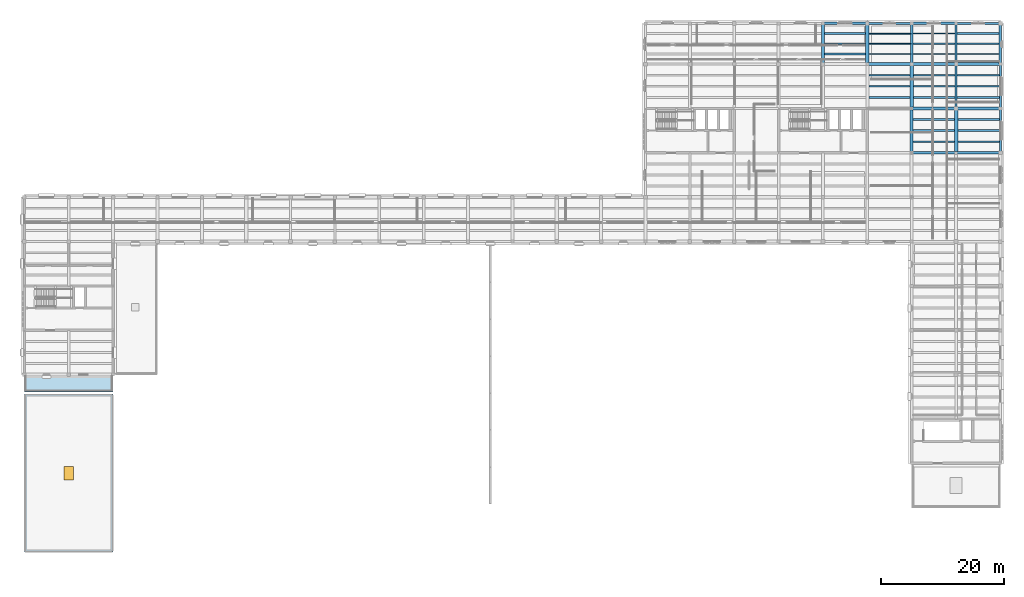
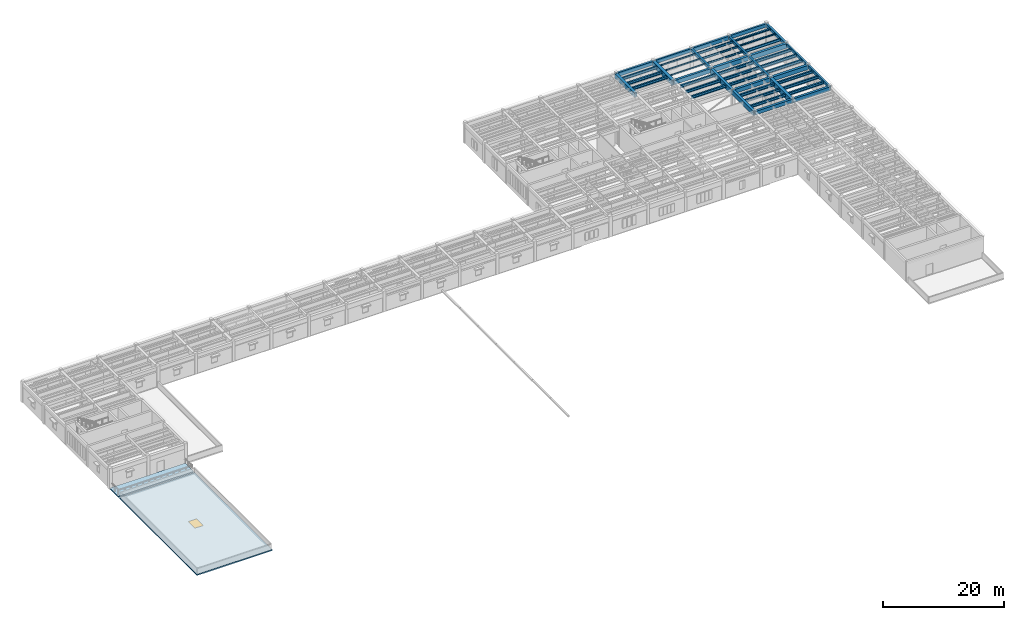
# One storey, part 5 of 27: 49 beams, 2 slabs, 1 window, 1 opening.
"""IFC4 building model written with IfcOpenShell, lengths in metres."""

import ifcopenshell
import ifcopenshell.guid

model = None  # the IFC model being written
_history = None  # IfcOwnerHistory: only IFC2X3 demands one
_inside = {}  # id of a spatial element -> (the spatial element, [elements in it])
_under = {}  # id of a project, library or spatial element -> (it, [spatial elements below it])
_declared = {}  # id of a project -> (the project, [libraries it declares])
_typed = {}  # id of a type object -> (the type object, [elements of that type])
_made_of = {}  # id of a material, layer set ... -> (it, [elements and type objects made of it])


def new_model(schema):
    """Start an empty IFC model of exactly this schema.

    Asked for "IFC4X3", IfcOpenShell would pick the latest addendum, in which some entities
    have other attributes; the version numbers below select the first issue.
    IFC2X3 requires an IfcOwnerHistory on every rooted entity: one is made here for all.
    """
    global model, _history
    if schema == "IFC4X3":
        model = ifcopenshell.file(schema_version=(4, 3, 0, 0))
    else:
        model = ifcopenshell.file(schema=schema)
    _inside.clear()
    _under.clear()
    _declared.clear()
    _typed.clear()
    _made_of.clear()
    _history = None
    if model.schema == "IFC2X3":
        org = make("IfcOrganization", Name="unknown")
        user = make(
            "IfcPersonAndOrganization",
            ThePerson=make("IfcPerson", FamilyName="unknown"),
            TheOrganization=org,
        )
        app = make(
            "IfcApplication",
            ApplicationDeveloper=org,
            Version="unknown",
            ApplicationFullName="unknown",
            ApplicationIdentifier="unknown",
        )
        _history = make(
            "IfcOwnerHistory",
            OwningUser=user,
            OwningApplication=app,
            ChangeAction="ADDED",
            CreationDate=0,
        )
    return model


def make(cls, **values):
    """One entity of the class cls with the attributes given. An attribute that is None is left unset."""
    return model.create_entity(
        cls, **{name: value for name, value in values.items() if value is not None}
    )


def rooted(cls, **values):
    """An entity with a GlobalId (a new one), such as an element, a storey or a relation."""
    return make(cls, GlobalId=ifcopenshell.guid.new(), OwnerHistory=_history, **values)


def si_unit(unit_type, name, prefix=None):
    """IfcSIUnit, for example si_unit("LENGTHUNIT", "METRE", prefix="MILLI")."""
    return make("IfcSIUnit", UnitType=unit_type, Prefix=prefix, Name=name)


def assignment(units):
    """IfcUnitAssignment: the units of a project."""
    return None if units is None else make("IfcUnitAssignment", Units=units)


def point(xyz):
    """IfcCartesianPoint."""
    return None if xyz is None else make("IfcCartesianPoint", Coordinates=xyz)


def direction(xyz):
    """IfcDirection."""
    return None if xyz is None else make("IfcDirection", DirectionRatios=xyz)


def frame(location, z_axis=None, x_axis=None):
    """IfcAxis2Placement3D, a coordinate frame: its origin and axes. An axis left out is left unset."""
    return make(
        "IfcAxis2Placement3D",
        Location=point(location),
        Axis=direction(z_axis),
        RefDirection=direction(x_axis),
    )


def frame_2d(location, x_axis=None):
    """IfcAxis2Placement2D, a coordinate frame in the plane: its origin and x axis."""
    return make(
        "IfcAxis2Placement2D", Location=point(location), RefDirection=direction(x_axis)
    )


def origin():
    """The frame at (0, 0, 0) with its axes left unset."""
    return frame((0.0, 0.0, 0.0))


def origin_2d():
    """The frame at (0, 0) in the plane with its x axis left unset."""
    return frame_2d((0.0, 0.0))


def place(relative_to, where):
    """IfcLocalPlacement: puts the frame where relative to a parent placement (None: the world)."""
    return make(
        "IfcLocalPlacement", PlacementRelTo=relative_to, RelativePlacement=where
    )


def context(
    kind, dimensions, precision=None, world=None, true_north=None, identifier=None
):
    """IfcGeometricRepresentationContext, for example the 3D "Model" context."""
    return make(
        "IfcGeometricRepresentationContext",
        ContextIdentifier=identifier,
        ContextType=kind,
        CoordinateSpaceDimension=dimensions,
        Precision=precision,
        WorldCoordinateSystem=world,
        TrueNorth=true_north,
    )


def subcontext(parent, identifier, kind, view, scale=None):
    """IfcGeometricRepresentationSubContext, for example "Body" below "Model"."""
    return make(
        "IfcGeometricRepresentationSubContext",
        ContextIdentifier=identifier,
        ContextType=kind,
        ParentContext=parent,
        TargetScale=scale,
        TargetView=view,
    )


def project(units=None, contexts=None):
    """IfcProject with its units and contexts."""
    return rooted(
        "IfcProject",
        Name="project",
        RepresentationContexts=contexts,
        UnitsInContext=assignment(units),
    )


def spatial(cls, under=None, at=None, **own):
    """A site, building, storey or space (cls), placed at a placement, below another one or the project."""
    s = rooted(cls, ObjectPlacement=at, **own)
    if under is not None:
        _under.setdefault(under.id(), (under, []))[1].append(s)
    return s


def polyline(points):
    """IfcPolyline through the points."""
    return make("IfcPolyline", Points=[point(p) for p in points])


def profile(cls, at=None, kind="AREA", **sizes):
    """A parametric profile (cls). Its sizes go by their IFC names, for example OverallWidth=200.0."""
    return make(cls, ProfileType=kind, Position=at, **sizes)


def rectangle(**sizes):
    """IfcRectangleProfileDef."""
    return profile("IfcRectangleProfileDef", **sizes)


def i_section(**sizes):
    """IfcIShapeProfileDef."""
    return profile("IfcIShapeProfileDef", **sizes)


def outline(outer, holes=None, kind="AREA"):
    """IfcArbitraryClosedProfileDef: a profile drawn as a closed curve; with holes, ...WithVoids."""
    if holes is None:
        return make("IfcArbitraryClosedProfileDef", ProfileType=kind, OuterCurve=outer)
    return make(
        "IfcArbitraryProfileDefWithVoids",
        ProfileType=kind,
        OuterCurve=outer,
        InnerCurves=holes,
    )


def extrude(swept, where, along, depth):
    """IfcExtrudedAreaSolid: the profile swept, set in the frame where, extruded along a direction by depth."""
    return make(
        "IfcExtrudedAreaSolid",
        SweptArea=swept,
        Position=where,
        ExtrudedDirection=direction(along),
        Depth=depth,
    )


def shape(context_of_items, identifier, shape_type, items):
    """IfcShapeRepresentation: the items that make up one representation, for example the "Body"."""
    return make(
        "IfcShapeRepresentation",
        ContextOfItems=context_of_items,
        RepresentationIdentifier=identifier,
        RepresentationType=shape_type,
        Items=items,
    )


def material(Name=None, Category=None):
    """IfcMaterial."""
    return make("IfcMaterial", Name=Name, Category=Category)


def layer(
    of_material, thickness, ventilated=None, Name=None, Category=None, Priority=None
):
    """IfcMaterialLayer: one layer of a wall or slab, of a material (None: an air gap)."""
    return make(
        "IfcMaterialLayer",
        Material=of_material,
        LayerThickness=thickness,
        IsVentilated=ventilated,
        Name=Name,
        Category=Category,
        Priority=Priority,
    )


def layer_set(layers, Name=None):
    """IfcMaterialLayerSet."""
    return make("IfcMaterialLayerSet", MaterialLayers=layers, LayerSetName=Name)


def material_profile(
    of_material, cross_section, Name=None, Category=None, Priority=None
):
    """IfcMaterialProfile: a cross section and its material."""
    return make(
        "IfcMaterialProfile",
        Name=Name,
        Material=of_material,
        Profile=cross_section,
        Priority=Priority,
        Category=Category,
    )


def profile_set(profiles, Name=None, composite=None):
    """IfcMaterialProfileSet."""
    return make(
        "IfcMaterialProfileSet",
        Name=Name,
        MaterialProfiles=profiles,
        CompositeProfile=composite,
    )


def made_of(thing, what):
    """Note that an element or type object is made of a material, layer set ...; save() writes the relation."""
    if what is not None:
        _made_of.setdefault(what.id(), (what, []))[1].append(thing)
    return thing


def type_object(cls, material=None, **own):
    """A type object (cls), such as IfcWallType, which elements share."""
    return made_of(rooted(cls, **own), material)


def element(
    cls,
    number,
    at=None,
    inside=None,
    cuts=None,
    type_object=None,
    material=None,
    context=None,
    identifier="Body",
    shape_type=None,
    held_by="IfcProductDefinitionShape",
    body=None,
    shapes=None,
    **own,
):
    """One element of the class cls, such as IfcWall. Its Tag is "e" and its number.

    at: its placement. inside: the storey or other place that contains it. cuts: it is an
    opening in that element (IfcRelVoidsElement). A single representation is given by context,
    identifier, shape_type and body (its items); several are given by shapes. held_by: the class
    of the entity that holds the representations. save() writes the other relations.
    """
    e = rooted(cls, Tag="e%d" % number, ObjectPlacement=at, **own)
    if body is not None:
        shapes = [shape(context, identifier, shape_type, body)]
    if shapes is not None:
        e.Representation = make(held_by, Representations=shapes)
    if inside is not None:
        _inside.setdefault(inside.id(), (inside, []))[1].append(e)
    if cuts is not None:
        rooted(
            "IfcRelVoidsElement", RelatingBuildingElement=cuts, RelatedOpeningElement=e
        )
    if type_object is not None:
        _typed.setdefault(type_object.id(), (type_object, []))[1].append(e)
    return made_of(e, material)


def fill(opening, filler):
    """IfcRelFillsElement: the door or window that sits in an opening."""
    return rooted(
        "IfcRelFillsElement",
        RelatingOpeningElement=opening,
        RelatedBuildingElement=filler,
    )


def aggregate(whole, parts):
    """IfcRelAggregates: a whole, such as a stair, and the parts it consists of."""
    return rooted("IfcRelAggregates", RelatingObject=whole, RelatedObjects=parts)


def save(model, path):
    """Write the relations noted so far, then the file.

    IfcRelAggregates (storeys below a building ...), IfcRelContainedInSpatialStructure (elements
    in a storey), IfcRelDefinesByType, IfcRelAssociatesMaterial and IfcRelDeclares: one each for
    every whole, place, type object, material and project.
    """
    for whole, parts in _under.values():
        aggregate(whole, parts)
    for where, things in _inside.values():
        rooted(
            "IfcRelContainedInSpatialStructure",
            RelatedElements=things,
            RelatingStructure=where,
        )
    for kind, things in _typed.values():
        rooted("IfcRelDefinesByType", RelatedObjects=things, RelatingType=kind)
    for what, things in _made_of.values():
        rooted("IfcRelAssociatesMaterial", RelatedObjects=things, RelatingMaterial=what)
    for by, libraries in _declared.values():
        rooted("IfcRelDeclares", RelatingContext=by, RelatedDefinitions=libraries)
    model.write(path)


model = new_model("IFC4")

# Units and contexts
model_context = context("Model", 3, precision=1e-05, world=origin(), true_north=direction((0.0, 1.0)))
body_context = subcontext(model_context, "Body", "Model", "MODEL_VIEW")
ifc_project = project(units=[si_unit("LENGTHUNIT", "METRE"), si_unit("AREAUNIT", "SQUARE_METRE"), si_unit("VOLUMEUNIT", "CUBIC_METRE"), si_unit("PLANEANGLEUNIT", "RADIAN"), si_unit("MASSUNIT", "GRAM", prefix="KILO")], contexts=[model_context])

# Site, building, storey
site_placement = place(None, origin())
site = spatial("IfcSite", under=ifc_project, at=site_placement, CompositionType="ELEMENT")
building_placement = place(site_placement, origin())
building = spatial("IfcBuilding", under=site, at=building_placement, Name="Mithqara Police Headquarters", CompositionType="ELEMENT")
storey_placement = place(building_placement, frame((0.0, 0.0, 18.0)))
storey = spatial("IfcBuildingStorey", under=building, at=storey_placement, Name="L04", CompositionType="ELEMENT", Elevation=18.0)

# Beams
ifc_material_1 = material(Name="Steel S355JR", Category="steel")
ifc_material_profile_1 = material_profile(ifc_material_1, i_section(OverallWidth=0.300048828125, OverallDepth=0.550048828125, WebThickness=0.014892578125, FlangeThickness=0.029052734375, FilletRadius=0.027099609375, at=origin_2d()), Name="HEB 550")
ifc_profile_set_1 = profile_set([ifc_material_profile_1], Name="Steel S355JR")
beam_type_1 = type_object("IfcBeamType", Name="BEAM HEB550", PredefinedType="BEAM", material=ifc_profile_set_1)
for number, where, z_axis, x_axis, name in (
    (1, (137.64990234375, 109.050048828125, 3.6650390625), (1.0, 0.0, 0.0), (0.0, 1.0, 0.0), "L04 Composite Steel Joist 20-21/R.1"),
    (2, (137.64990234375, 110.699951171875, 3.6650390625), (1.0, 0.0, 0.0), (0.0, 1.0, 0.0), "L04 Composite Steel Joist 20-21/R.2"),
    (3, (137.64990234375, 112.35009765625, 3.6650390625), (1.0, 0.0, 0.0), (0.0, 1.0, 0.0), "L04 Composite Steel Joist 20-21/R.3"),
):
    element("IfcBeam", number, at=place(storey_placement, frame(where, z_axis=z_axis, x_axis=x_axis)), inside=storey, type_object=beam_type_1, Name=name, PredefinedType="BEAM", context=body_context, shape_type="SweptSolid", body=[
        extrude(i_section(OverallWidth=0.300048828125, OverallDepth=0.550048828125, WebThickness=0.014892578125, FlangeThickness=0.029052734375, FilletRadius=0.027099609375, at=origin_2d()), origin(), (0.0, 0.0, 1.0), 6.675048828125),
    ])
for number, where, z_axis, x_axis, name in (
    (4, (144.85009765625, 102.0, 3.6650390625), (1.0, 0.0, 0.0), (0.0, 1.0, 0.0), "L04 Composite Steel Joist 21-22/Q.1"),
    (5, (144.85009765625, 103.800048828125, 3.6650390625), (1.0, 0.0, 0.0), (0.0, 1.0, 0.0), "L04 Composite Steel Joist 21-22/Q.2"),
    (6, (144.85009765625, 105.60009765625, 3.6650390625), (1.0, 0.0, 0.0), (0.0, 1.0, 0.0), "L04 Composite Steel Joist 21-22/Q.3"),
):
    element("IfcBeam", number, at=place(storey_placement, frame(where, z_axis=z_axis, x_axis=x_axis)), inside=storey, type_object=beam_type_1, Name=name, PredefinedType="BEAM", context=body_context, shape_type="SweptSolid", body=[
        extrude(i_section(OverallWidth=0.300048828125, OverallDepth=0.550048828125, WebThickness=0.014892578125, FlangeThickness=0.029052734375, FilletRadius=0.027099609375, at=origin_2d()), origin(), (0.0, 0.0, 1.0), 6.6748046875),
    ])
for number, where, z_axis, x_axis, name in (
    (7, (152.050048828125, 94.800048828125, 3.6650390625), (1.0, 0.0, 0.0), (0.0, 1.0, 0.0), "L04 Composite Steel Joist 22-23/P.1"),
    (8, (152.050048828125, 96.60009765625, 3.6650390625), (1.0, 0.0, 0.0), (0.0, 1.0, 0.0), "L04 Composite Steel Joist 22-23/P.2"),
    (9, (152.050048828125, 98.39990234375, 3.6650390625), (1.0, 0.0, 0.0), (0.0, 1.0, 0.0), "L04 Composite Steel Joist 22-23/P.3"),
):
    element("IfcBeam", number, at=place(storey_placement, frame(where, z_axis=z_axis, x_axis=x_axis)), inside=storey, type_object=beam_type_1, Name=name, PredefinedType="BEAM", context=body_context, shape_type="SweptSolid", body=[
        extrude(i_section(OverallWidth=0.300048828125, OverallDepth=0.550048828125, WebThickness=0.014892578125, FlangeThickness=0.029052734375, FilletRadius=0.027099609375, at=origin_2d()), origin(), (0.0, 0.0, 1.0), 6.675048828125),
    ])
for number, where, z_axis, x_axis, name in (
    (10, (152.074951171875, 102.0, 3.6650390625), (1.0, 0.0, 0.0), (0.0, 1.0, 0.0), "L04 Composite Steel Joist 22-23/Q.1"),
    (11, (152.074951171875, 103.800048828125, 3.6650390625), (1.0, 0.0, 0.0), (0.0, 1.0, 0.0), "L04 Composite Steel Joist 22-23/Q.2"),
    (12, (152.074951171875, 105.60009765625, 3.6650390625), (1.0, 0.0, 0.0), (0.0, 1.0, 0.0), "L04 Composite Steel Joist 22-23/Q.3"),
    (13, (159.27490234375, 94.800048828125, 3.6650390625), (1.0, 0.0, 0.0), (0.0, 1.0, 0.0), "L04 Composite Steel Joist 23-24/P.1"),
    (14, (159.27490234375, 96.60009765625, 3.6650390625), (1.0, 0.0, 0.0), (0.0, 1.0, 0.0), "L04 Composite Steel Joist 23-24/P.2"),
    (15, (159.27490234375, 98.39990234375, 3.6650390625), (1.0, 0.0, 0.0), (0.0, 1.0, 0.0), "L04 Composite Steel Joist 23-24/P.3"),
):
    element("IfcBeam", number, at=place(storey_placement, frame(where, z_axis=z_axis, x_axis=x_axis)), inside=storey, type_object=beam_type_1, Name=name, PredefinedType="BEAM", context=body_context, shape_type="SweptSolid", body=[
        extrude(i_section(OverallWidth=0.300048828125, OverallDepth=0.550048828125, WebThickness=0.014892578125, FlangeThickness=0.029052734375, FilletRadius=0.027099609375, at=origin_2d()), origin(), (0.0, 0.0, 1.0), 6.75),
    ])
for number, where, z_axis, x_axis, name in (
    (16, (159.175048828125, 102.0, 3.6650390625), (1.0, 0.0, 0.0), (0.0, 1.0, 0.0), "L04 Composite Steel Joist 23-24/Q.1"),
    (17, (159.175048828125, 103.800048828125, 3.6650390625), (1.0, 0.0, 0.0), (0.0, 1.0, 0.0), "L04 Composite Steel Joist 23-24/Q.2"),
    (18, (159.175048828125, 105.60009765625, 3.6650390625), (1.0, 0.0, 0.0), (0.0, 1.0, 0.0), "L04 Composite Steel Joist 23-24/Q.3"),
):
    element("IfcBeam", number, at=place(storey_placement, frame(where, z_axis=z_axis, x_axis=x_axis)), inside=storey, type_object=beam_type_1, Name=name, PredefinedType="BEAM", context=body_context, shape_type="SweptSolid", body=[
        extrude(i_section(OverallWidth=0.300048828125, OverallDepth=0.550048828125, WebThickness=0.014892578125, FlangeThickness=0.029052734375, FilletRadius=0.027099609375, at=origin_2d()), origin(), (0.0, 0.0, 1.0), 6.849853515625),
    ])
ifc_material_2 = material(Name="Concrete C40/50", Category="concrete")
ifc_material_profile_2 = material_profile(ifc_material_2, rectangle(XDim=0.35009765625, YDim=0.550048828125, at=origin_2d()), Name="RC 350x550")
ifc_profile_set_2 = profile_set([ifc_material_profile_2], Name="Concrete C40/50")
beam_type_2 = type_object("IfcBeamType", Name="BEAM RC350X550", PredefinedType="BEAM", material=ifc_profile_set_2)
beam_1_placement = place(storey_placement, frame((151.800048828125, 107.39990234375, 3.6650390625), z_axis=(0.0, 1.0, 0.0), x_axis=(-1.0, 0.0, 0.0)))
element("IfcBeam", 19, at=beam_1_placement, inside=storey, type_object=beam_type_2, Name="L04 Girder 22/R-S", PredefinedType="BEAM", context=body_context, shape_type="SweptSolid", body=[
    extrude(rectangle(XDim=0.35009765625, YDim=0.550048828125, at=origin_2d()), origin(), (0.0, 0.0, 1.0), 6.60009765625),
])
for number, where, z_axis, x_axis, name in (
    (20, (159.0, 100.199951171875, 3.6650390625), (0.0, 1.0, 0.0), (-1.0, 0.0, 0.0), "L04 Girder 23/Q-R"),
    (21, (166.199951171875, 93.0, 3.6650390625), (0.0, 1.0, 0.0), (-1.0, 0.0, 0.0), "L04 Girder 24/P-Q"),
):
    element("IfcBeam", number, at=place(storey_placement, frame(where, z_axis=z_axis, x_axis=x_axis)), inside=storey, type_object=beam_type_2, Name=name, PredefinedType="BEAM", context=body_context, shape_type="SweptSolid", body=[
        extrude(rectangle(XDim=0.35009765625, YDim=0.550048828125, at=origin_2d()), origin(), (0.0, 0.0, 1.0), 7.199951171875),
    ])
ifc_material_profile_3 = material_profile(ifc_material_2, rectangle(XDim=0.35009765625, YDim=0.60009765625, at=origin_2d()), Name="RC 350x600")
ifc_profile_set_3 = profile_set([ifc_material_profile_3], Name="Concrete C40/50")
beam_type_3 = type_object("IfcBeamType", Name="BEAM RC350X600", PredefinedType="BEAM", material=ifc_profile_set_3)
beam_2_placement = place(storey_placement, frame((159.0, 107.39990234375, 3.639892578125), z_axis=(0.0, 1.0, 0.0), x_axis=(-1.0, 0.0, 0.0)))
element("IfcBeam", 22, at=beam_2_placement, inside=storey, type_object=beam_type_3, Name="L04 Girder 23/R-S", PredefinedType="BEAM", context=body_context, shape_type="SweptSolid", body=[
    extrude(rectangle(XDim=0.35009765625, YDim=0.60009765625, at=origin_2d()), origin(), (0.0, 0.0, 1.0), 6.60009765625),
])
beam_3_placement = place(storey_placement, frame((166.199951171875, 100.199951171875, 3.639892578125), z_axis=(0.0, 1.0, 0.0), x_axis=(-1.0, 0.0, 0.0)))
element("IfcBeam", 23, at=beam_3_placement, inside=storey, type_object=beam_type_3, Name="L04 Girder 24/Q-R", PredefinedType="BEAM", context=body_context, shape_type="SweptSolid", body=[
    extrude(rectangle(XDim=0.35009765625, YDim=0.60009765625, at=origin_2d()), origin(), (0.0, 0.0, 1.0), 7.199951171875),
])
ifc_material_profile_4 = material_profile(ifc_material_2, rectangle(XDim=0.39990234375, YDim=0.64990234375, at=origin_2d()), Name="RC 400x650")
ifc_profile_set_4 = profile_set([ifc_material_profile_4], Name="Concrete C40/50")
beam_type_4 = type_object("IfcBeamType", Name="BEAM RC400X650", PredefinedType="BEAM", material=ifc_profile_set_4)
beam_4_placement = place(storey_placement, frame((166.199951171875, 107.39990234375, 3.614990234375), z_axis=(0.0, 1.0, 0.0), x_axis=(-1.0, 0.0, 0.0)))
element("IfcBeam", 24, at=beam_4_placement, inside=storey, type_object=beam_type_4, Name="L04 Girder 24/R-S", PredefinedType="BEAM", context=body_context, shape_type="SweptSolid", body=[
    extrude(rectangle(XDim=0.39990234375, YDim=0.64990234375, at=origin_2d()), origin(), (0.0, 0.0, 1.0), 6.60009765625),
])
ifc_material_profile_5 = material_profile(ifc_material_2, rectangle(XDim=0.449951171875, YDim=0.699951171875, at=origin_2d()), Name="RC 450x700")
ifc_profile_set_5 = profile_set([ifc_material_profile_5], Name="Concrete C40/50")
beam_type_5 = type_object("IfcBeamType", Name="BEAM RC450X700", PredefinedType="BEAM", material=ifc_profile_set_5)
beam_5_placement = place(storey_placement, frame((151.800048828125, 93.0, 3.590087890625), z_axis=(1.0, 0.0, 0.0), x_axis=(0.0, 1.0, 0.0)))
element("IfcBeam", 25, at=beam_5_placement, inside=storey, type_object=beam_type_5, Name="L04 Girder 22-23/P", PredefinedType="BEAM", context=body_context, shape_type="SweptSolid", body=[
    extrude(rectangle(XDim=0.449951171875, YDim=0.699951171875, at=origin_2d()), origin(), (0.0, 0.0, 1.0), 7.199951171875),
])
ifc_material_profile_6 = material_profile(ifc_material_2, rectangle(XDim=0.449951171875, YDim=0.800048828125, at=origin_2d()), Name="RC 450x800")
ifc_profile_set_6 = profile_set([ifc_material_profile_6], Name="Concrete C40/50")
beam_type_6 = type_object("IfcBeamType", Name="BEAM RC450X800", PredefinedType="BEAM", material=ifc_profile_set_6)
for number, where, z_axis, x_axis, name in (
    (26, (144.60009765625, 107.39990234375, 3.5400390625), (1.0, 0.0, 0.0), (0.0, 1.0, 0.0), "L04 Girder 21-22/R"),
    (27, (151.800048828125, 100.199951171875, 3.5400390625), (1.0, 0.0, 0.0), (0.0, 1.0, 0.0), "L04 Girder 22-23/Q"),
    (28, (159.0, 93.0, 3.5400390625), (1.0, 0.0, 0.0), (0.0, 1.0, 0.0), "L04 Girder 23-24/P"),
):
    element("IfcBeam", number, at=place(storey_placement, frame(where, z_axis=z_axis, x_axis=x_axis)), inside=storey, type_object=beam_type_6, Name=name, PredefinedType="BEAM", context=body_context, shape_type="SweptSolid", body=[
        extrude(rectangle(XDim=0.449951171875, YDim=0.800048828125, at=origin_2d()), origin(), (0.0, 0.0, 1.0), 7.199951171875),
    ])
ifc_material_profile_7 = material_profile(ifc_material_2, rectangle(XDim=0.5, YDim=0.85009765625, at=origin_2d()), Name="RC 500x850")
ifc_profile_set_7 = profile_set([ifc_material_profile_7], Name="Concrete C40/50")
beam_type_7 = type_object("IfcBeamType", Name="BEAM RC500X850", PredefinedType="BEAM", material=ifc_profile_set_7)
for number, where, z_axis, x_axis, name in (
    (29, (151.800048828125, 107.39990234375, 3.514892578125), (1.0, 0.0, 0.0), (0.0, 1.0, 0.0), "L04 Girder 22-23/R"),
    (30, (159.0, 100.199951171875, 3.514892578125), (1.0, 0.0, 0.0), (0.0, 1.0, 0.0), "L04 Girder 23-24/Q"),
):
    element("IfcBeam", number, at=place(storey_placement, frame(where, z_axis=z_axis, x_axis=x_axis)), inside=storey, type_object=beam_type_7, Name=name, PredefinedType="BEAM", context=body_context, shape_type="SweptSolid", body=[
        extrude(rectangle(XDim=0.5, YDim=0.85009765625, at=origin_2d()), origin(), (0.0, 0.0, 1.0), 7.199951171875),
    ])
ifc_material_3 = material(Name="Concrete C50/60", Category="concrete")
ifc_material_profile_8 = material_profile(ifc_material_3, rectangle(XDim=0.5, YDim=0.89990234375, at=origin_2d()), Name="RC 500x900")
ifc_profile_set_8 = profile_set([ifc_material_profile_8], Name="Concrete C50/60")
beam_type_8 = type_object("IfcBeamType", Name="BEAM RC500X900", PredefinedType="BEAM", material=ifc_profile_set_8)
beam_6_placement = place(storey_placement, frame((137.39990234375, 107.39990234375, 3.489990234375), z_axis=(0.0, 1.0, 0.0), x_axis=(-1.0, 0.0, 0.0)))
element("IfcBeam", 31, at=beam_6_placement, inside=storey, type_object=beam_type_8, Name="L04 Girder 20/R-S", PredefinedType="BEAM", context=body_context, shape_type="SweptSolid", body=[
    extrude(rectangle(XDim=0.5, YDim=0.89990234375, at=origin_2d()), origin(), (0.0, 0.0, 1.0), 6.60009765625),
])
for number, where, z_axis, x_axis, name in (
    (32, (151.800048828125, 93.0, 3.489990234375), (0.0, 1.0, 0.0), (-1.0, 0.0, 0.0), "L04 Girder 22/P-Q"),
    (33, (159.0, 107.39990234375, 3.489990234375), (1.0, 0.0, 0.0), (0.0, 1.0, 0.0), "L04 Girder 23-24/R"),
):
    element("IfcBeam", number, at=place(storey_placement, frame(where, z_axis=z_axis, x_axis=x_axis)), inside=storey, type_object=beam_type_8, Name=name, PredefinedType="BEAM", context=body_context, shape_type="SweptSolid", body=[
        extrude(rectangle(XDim=0.5, YDim=0.89990234375, at=origin_2d()), origin(), (0.0, 0.0, 1.0), 7.199951171875),
    ])
ifc_material_profile_9 = material_profile(ifc_material_3, rectangle(XDim=0.550048828125, YDim=1.0, at=origin_2d()), Name="RC 550x1000")
ifc_profile_set_9 = profile_set([ifc_material_profile_9], Name="Concrete C50/60")
beam_type_9 = type_object("IfcBeamType", Name="BEAM RC550X1000", PredefinedType="BEAM", material=ifc_profile_set_9)
beam_7_placement = place(storey_placement, frame((144.60009765625, 107.39990234375, 3.43994140625), z_axis=(0.0, 1.0, 0.0), x_axis=(-1.0, 0.0, 0.0)))
element("IfcBeam", 34, at=beam_7_placement, inside=storey, type_object=beam_type_9, Name="L04 Girder 21/R-S", PredefinedType="BEAM", context=body_context, shape_type="SweptSolid", body=[
    extrude(rectangle(XDim=0.550048828125, YDim=1.0, at=origin_2d()), origin(), (0.0, 0.0, 1.0), 6.60009765625),
])
for number, where, z_axis, x_axis, name in (
    (35, (151.800048828125, 100.199951171875, 3.43994140625), (0.0, 1.0, 0.0), (-1.0, 0.0, 0.0), "L04 Girder 22/Q-R"),
    (36, (159.0, 93.0, 3.43994140625), (0.0, 1.0, 0.0), (-1.0, 0.0, 0.0), "L04 Girder 23/P-Q"),
):
    element("IfcBeam", number, at=place(storey_placement, frame(where, z_axis=z_axis, x_axis=x_axis)), inside=storey, type_object=beam_type_9, Name=name, PredefinedType="BEAM", context=body_context, shape_type="SweptSolid", body=[
        extrude(rectangle(XDim=0.550048828125, YDim=1.0, at=origin_2d()), origin(), (0.0, 0.0, 1.0), 7.199951171875),
    ])
ifc_material_profile_10 = material_profile(ifc_material_1, i_section(OverallWidth=0.260009765625, OverallDepth=0.25, WebThickness=0.007568359375, FlangeThickness=0.012451171875, FilletRadius=0.02392578125, at=origin_2d()), Name="HEA 260")
ifc_profile_set_10 = profile_set([ifc_material_profile_10], Name="Steel S355JR")
beam_type_10 = type_object("IfcBeamType", Name="JOIST HEA260", PredefinedType="JOIST", material=ifc_profile_set_10)
beam_8_placement = place(storey_placement, frame((159.175048828125, 110.699951171875, 3.81494140625), z_axis=(1.0, 0.0, 0.0), x_axis=(0.0, 1.0, 0.0)))
element("IfcBeam", 37, at=beam_8_placement, inside=storey, type_object=beam_type_10, Name="L04 Composite Steel Joist 23-24/R.2", PredefinedType="JOIST", context=body_context, shape_type="SweptSolid", body=[
    extrude(i_section(OverallWidth=0.260009765625, OverallDepth=0.25, WebThickness=0.007568359375, FlangeThickness=0.012451171875, FilletRadius=0.02392578125, at=origin_2d()), origin(), (0.0, 0.0, 1.0), 6.824951171875),
])
ifc_material_profile_11 = material_profile(ifc_material_1, i_section(OverallWidth=0.300048828125, OverallDepth=0.2900390625, WebThickness=0.008544921875, FlangeThickness=0.013916015625, FilletRadius=0.027099609375, at=origin_2d()), Name="HEA 300")
ifc_profile_set_11 = profile_set([ifc_material_profile_11], Name="Steel S355JR")
beam_type_11 = type_object("IfcBeamType", Name="JOIST HEA300", PredefinedType="JOIST", material=ifc_profile_set_11)
beam_9_placement = place(storey_placement, frame((159.175048828125, 112.35009765625, 3.794921875), z_axis=(1.0, 0.0, 0.0), x_axis=(0.0, 1.0, 0.0)))
element("IfcBeam", 38, at=beam_9_placement, inside=storey, type_object=beam_type_11, Name="L04 Composite Steel Joist 23-24/R.3", PredefinedType="JOIST", context=body_context, shape_type="SweptSolid", body=[
    extrude(i_section(OverallWidth=0.300048828125, OverallDepth=0.2900390625, WebThickness=0.008544921875, FlangeThickness=0.013916015625, FilletRadius=0.027099609375, at=origin_2d()), origin(), (0.0, 0.0, 1.0), 6.824951171875),
])
ifc_material_profile_12 = material_profile(ifc_material_1, i_section(OverallWidth=0.1201171875, OverallDepth=0.239990234375, WebThickness=0.006103515625, FlangeThickness=0.009765625, FilletRadius=0.014892578125, at=origin_2d()), Name="IPE 240")
ifc_profile_set_12 = profile_set([ifc_material_profile_12], Name="Steel S355JR")
beam_type_12 = type_object("IfcBeamType", Name="JOIST IPE240", PredefinedType="JOIST", material=ifc_profile_set_12)
beam_10_placement = place(storey_placement, frame((144.875, 109.050048828125, 3.820068359375), z_axis=(1.0, 0.0, 0.0), x_axis=(0.0, 1.0, 0.0)))
element("IfcBeam", 39, at=beam_10_placement, inside=storey, type_object=beam_type_12, Name="L04 Composite Steel Joist 21-22/R.1", PredefinedType="JOIST", context=body_context, shape_type="SweptSolid", body=[
    extrude(i_section(OverallWidth=0.1201171875, OverallDepth=0.239990234375, WebThickness=0.006103515625, FlangeThickness=0.009765625, FilletRadius=0.014892578125, at=origin_2d()), origin(), (0.0, 0.0, 1.0), 6.75),
])
ifc_material_profile_13 = material_profile(ifc_material_1, i_section(OverallWidth=0.135009765625, OverallDepth=0.27001953125, WebThickness=0.006591796875, FlangeThickness=0.01025390625, FilletRadius=0.014892578125, at=origin_2d()), Name="IPE 270")
ifc_profile_set_13 = profile_set([ifc_material_profile_13], Name="Steel S355JR")
beam_type_13 = type_object("IfcBeamType", Name="JOIST IPE270", PredefinedType="JOIST", material=ifc_profile_set_13)
beam_11_placement = place(storey_placement, frame((144.875, 110.699951171875, 3.804931640625), z_axis=(1.0, 0.0, 0.0), x_axis=(0.0, 1.0, 0.0)))
element("IfcBeam", 40, at=beam_11_placement, inside=storey, type_object=beam_type_13, Name="L04 Composite Steel Joist 21-22/R.2", PredefinedType="JOIST", context=body_context, shape_type="SweptSolid", body=[
    extrude(i_section(OverallWidth=0.135009765625, OverallDepth=0.27001953125, WebThickness=0.006591796875, FlangeThickness=0.01025390625, FilletRadius=0.014892578125, at=origin_2d()), origin(), (0.0, 0.0, 1.0), 6.75),
])
ifc_material_profile_14 = material_profile(ifc_material_1, i_section(OverallWidth=0.14990234375, OverallDepth=0.300048828125, WebThickness=0.007080078125, FlangeThickness=0.0107421875, FilletRadius=0.014892578125, at=origin_2d()), Name="IPE 300")
ifc_profile_set_14 = profile_set([ifc_material_profile_14], Name="Steel S355JR")
beam_type_14 = type_object("IfcBeamType", Name="JOIST IPE300", PredefinedType="JOIST", material=ifc_profile_set_14)
beam_12_placement = place(storey_placement, frame((144.875, 112.35009765625, 3.7900390625), z_axis=(1.0, 0.0, 0.0), x_axis=(0.0, 1.0, 0.0)))
element("IfcBeam", 41, at=beam_12_placement, inside=storey, type_object=beam_type_14, Name="L04 Composite Steel Joist 21-22/R.3", PredefinedType="JOIST", context=body_context, shape_type="SweptSolid", body=[
    extrude(i_section(OverallWidth=0.14990234375, OverallDepth=0.300048828125, WebThickness=0.007080078125, FlangeThickness=0.0107421875, FilletRadius=0.014892578125, at=origin_2d()), origin(), (0.0, 0.0, 1.0), 6.75),
])
ifc_material_profile_15 = material_profile(ifc_material_1, i_section(OverallWidth=0.169921875, OverallDepth=0.360107421875, WebThickness=0.008056640625, FlangeThickness=0.0126953125, FilletRadius=0.01806640625, at=origin_2d()), Name="IPE 360")
ifc_profile_set_15 = profile_set([ifc_material_profile_15], Name="Steel S355JR")
beam_type_15 = type_object("IfcBeamType", Name="JOIST IPE360", PredefinedType="JOIST", material=ifc_profile_set_15)
beam_13_placement = place(storey_placement, frame((151.97509765625, 109.050048828125, 3.760009765625), z_axis=(1.0, 0.0, 0.0), x_axis=(0.0, 1.0, 0.0)))
element("IfcBeam", 42, at=beam_13_placement, inside=storey, type_object=beam_type_15, Name="L04 Composite Steel Joist 22-23/R.1", PredefinedType="JOIST", context=body_context, shape_type="SweptSolid", body=[
    extrude(i_section(OverallWidth=0.169921875, OverallDepth=0.360107421875, WebThickness=0.008056640625, FlangeThickness=0.0126953125, FilletRadius=0.01806640625, at=origin_2d()), origin(), (0.0, 0.0, 1.0), 6.849853515625),
])
ifc_material_profile_16 = material_profile(ifc_material_1, i_section(OverallWidth=0.179931640625, OverallDepth=0.39990234375, WebThickness=0.008544921875, FlangeThickness=0.013427734375, FilletRadius=0.02099609375, at=origin_2d()), Name="IPE 400")
ifc_profile_set_16 = profile_set([ifc_material_profile_16], Name="Steel S355JR")
beam_type_16 = type_object("IfcBeamType", Name="JOIST IPE400", PredefinedType="JOIST", material=ifc_profile_set_16)
beam_14_placement = place(storey_placement, frame((151.97509765625, 110.699951171875, 3.739990234375), z_axis=(1.0, 0.0, 0.0), x_axis=(0.0, 1.0, 0.0)))
element("IfcBeam", 43, at=beam_14_placement, inside=storey, type_object=beam_type_16, Name="L04 Composite Steel Joist 22-23/R.2", PredefinedType="JOIST", context=body_context, shape_type="SweptSolid", body=[
    extrude(i_section(OverallWidth=0.179931640625, OverallDepth=0.39990234375, WebThickness=0.008544921875, FlangeThickness=0.013427734375, FilletRadius=0.02099609375, at=origin_2d()), origin(), (0.0, 0.0, 1.0), 6.849853515625),
])
ifc_material_profile_17 = material_profile(ifc_material_1, i_section(OverallWidth=0.18994140625, OverallDepth=0.449951171875, WebThickness=0.009521484375, FlangeThickness=0.0146484375, FilletRadius=0.02099609375, at=origin_2d()), Name="IPE 450")
ifc_profile_set_17 = profile_set([ifc_material_profile_17], Name="Steel S355JR")
beam_type_17 = type_object("IfcBeamType", Name="JOIST IPE450", PredefinedType="JOIST", material=ifc_profile_set_17)
beam_15_placement = place(storey_placement, frame((151.97509765625, 112.35009765625, 3.715087890625), z_axis=(1.0, 0.0, 0.0), x_axis=(0.0, 1.0, 0.0)))
element("IfcBeam", 44, at=beam_15_placement, inside=storey, type_object=beam_type_17, Name="L04 Composite Steel Joist 22-23/R.3", PredefinedType="JOIST", context=body_context, shape_type="SweptSolid", body=[
    extrude(i_section(OverallWidth=0.18994140625, OverallDepth=0.449951171875, WebThickness=0.009521484375, FlangeThickness=0.0146484375, FilletRadius=0.02099609375, at=origin_2d()), origin(), (0.0, 0.0, 1.0), 6.849853515625),
])
ifc_material_profile_18 = material_profile(ifc_material_1, i_section(OverallWidth=0.2099609375, OverallDepth=0.550048828125, WebThickness=0.010986328125, FlangeThickness=0.01708984375, FilletRadius=0.02392578125, at=origin_2d()), Name="IPE 550")
ifc_profile_set_18 = profile_set([ifc_material_profile_18], Name="Steel S355JR")
beam_type_18 = type_object("IfcBeamType", Name="JOIST IPE550", PredefinedType="JOIST", material=ifc_profile_set_18)
beam_16_placement = place(storey_placement, frame((159.175048828125, 109.050048828125, 3.6650390625), z_axis=(1.0, 0.0, 0.0), x_axis=(0.0, 1.0, 0.0)))
element("IfcBeam", 45, at=beam_16_placement, inside=storey, type_object=beam_type_18, Name="L04 Composite Steel Joist 23-24/R.1", PredefinedType="JOIST", context=body_context, shape_type="SweptSolid", body=[
    extrude(i_section(OverallWidth=0.2099609375, OverallDepth=0.550048828125, WebThickness=0.010986328125, FlangeThickness=0.01708984375, FilletRadius=0.02392578125, at=origin_2d()), origin(), (0.0, 0.0, 1.0), 6.824951171875),
])
ifc_material_profile_19 = material_profile(ifc_material_2, rectangle(XDim=0.35009765625, YDim=0.699951171875, at=origin_2d()), Name="SPB 350x700")
ifc_profile_set_19 = profile_set([ifc_material_profile_19], Name="Concrete C40/50")
beam_type_19 = type_object("IfcBeamType", Name="SPANDREL 350X700", PredefinedType="SPANDREL", material=ifc_profile_set_19)
for number, where, z_axis, x_axis, name in (
    (46, (144.60009765625, 114.0, 3.590087890625), (1.0, 0.0, 0.0), (0.0, 1.0, 0.0), "L04 Girder 21-22/S"),
    (47, (159.0, 114.0, 3.590087890625), (1.0, 0.0, 0.0), (0.0, 1.0, 0.0), "L04 Girder 23-24/S"),
):
    element("IfcBeam", number, at=place(storey_placement, frame(where, z_axis=z_axis, x_axis=x_axis)), inside=storey, type_object=beam_type_19, Name=name, PredefinedType="SPANDREL", context=body_context, shape_type="SweptSolid", body=[
        extrude(rectangle(XDim=0.35009765625, YDim=0.699951171875, at=origin_2d()), origin(), (0.0, 0.0, 1.0), 7.199951171875),
    ])
ifc_material_profile_20 = material_profile(ifc_material_2, rectangle(XDim=0.39990234375, YDim=0.75, at=origin_2d()), Name="SPB 400x750")
ifc_profile_set_20 = profile_set([ifc_material_profile_20], Name="Concrete C40/50")
beam_type_20 = type_object("IfcBeamType", Name="SPANDREL 400X750", PredefinedType="SPANDREL", material=ifc_profile_set_20)
beam_17_placement = place(storey_placement, frame((137.39990234375, 114.0, 3.56494140625), z_axis=(1.0, 0.0, 0.0), x_axis=(0.0, 1.0, 0.0)))
element("IfcBeam", 48, at=beam_17_placement, inside=storey, type_object=beam_type_20, Name="L04 Girder 20-21/S", PredefinedType="SPANDREL", context=body_context, shape_type="SweptSolid", body=[
    extrude(rectangle(XDim=0.39990234375, YDim=0.75, at=origin_2d()), origin(), (0.0, 0.0, 1.0), 7.2001953125),
])
beam_18_placement = place(storey_placement, frame((151.800048828125, 114.0, 3.56494140625), z_axis=(1.0, 0.0, 0.0), x_axis=(0.0, 1.0, 0.0)))
element("IfcBeam", 49, at=beam_18_placement, inside=storey, type_object=beam_type_20, Name="L04 Girder 22-23/S", PredefinedType="SPANDREL", context=body_context, shape_type="SweptSolid", body=[
    extrude(rectangle(XDim=0.39990234375, YDim=0.75, at=origin_2d()), origin(), (0.0, 0.0, 1.0), 7.199951171875),
])

# Slab, opening, window
ifc_layer_1 = layer(ifc_material_2, 0.25, Name="Concrete C40/50")
ifc_layer_set_1 = layer_set([ifc_layer_1], Name="Concrete C40/50")
slab_type_1 = type_object("IfcSlabType", Name="ROOF SLAB 250", PredefinedType="ROOF", material=ifc_layer_set_1)
slab_1_placement = place(storey_placement, frame((0.0, 0.0, -0.25)))
slab_1 = element("IfcSlab", 50, at=slab_1_placement, inside=storey, type_object=slab_type_1, Name="L04 Flat Insulated Roof over L03 Wing 1", PredefinedType="ROOF", context=body_context, shape_type="SweptSolid", body=[
    extrude(outline(polyline([(7.800048828125, 53.85009765625), (22.199951171875, 53.85009765625), (22.199951171875, 28.199951171875), (7.800048828125, 28.199951171875), (7.800048828125, 53.85009765625)]), holes=[polyline([(14.199951171875, 39.925048828125), (15.800048828125, 39.925048828125), (15.800048828125, 42.125), (14.199951171875, 42.125), (14.199951171875, 39.925048828125)])]), origin(), (0.0, 0.0, 1.0), 0.25),
])
opening_placement = place(slab_1_placement, frame((15.0, 41.02490234375, -0.010009765625)))
opening = element("IfcOpeningElement", 51, at=opening_placement, cuts=slab_1, Name="Opening SK-03", PredefinedType="OPENING", context=body_context, shape_type="SweptSolid", body=[
    extrude(rectangle(XDim=1.60009765625, YDim=2.199951171875, at=origin_2d()), origin(), (0.0, 0.0, 1.0), 0.27001953125),
])
ifc_material_4 = material(Name="Spectrally selective double low-e glass", Category="glass")
window_type = type_object("IfcWindowType", Name="SKYLIGHT 1600X2200", PartitioningType="SINGLE_PANEL", PredefinedType="SKYLIGHT", material=ifc_material_4)
window_placement = place(opening_placement, frame((0.0, 0.0, 0.2099609375)))
window = element("IfcWindow", 52, at=window_placement, inside=storey, type_object=window_type, Name="L04 Roof Daylight Skylight and Access Hatch 7", OverallHeight=2.199951171875, OverallWidth=1.60009765625, PartitioningType="SINGLE_PANEL", PredefinedType="SKYLIGHT", context=body_context, shape_type="SweptSolid", body=[
    extrude(rectangle(XDim=1.60009765625, YDim=2.199951171875, at=origin_2d()), origin(), (0.0, 0.0, 1.0), 0.050048828125),
])
fill(opening, window)

# Slab
ifc_layer_2 = layer(ifc_material_2, 0.239990234375, Name="Concrete C40/50")
ifc_layer_set_2 = layer_set([ifc_layer_2], Name="Concrete C40/50")
slab_type_2 = type_object("IfcSlabType", Name="TERRACE SLAB 240", PredefinedType="FLOOR", material=ifc_layer_set_2)
slab_2_placement = place(storey_placement, frame((0.0, 0.0, -0.239990234375)))
element("IfcSlab", 53, at=slab_2_placement, inside=storey, type_object=slab_type_2, Name="L04 Walkable Roof Terrace TER-L04-S", PredefinedType="FLOOR", context=body_context, shape_type="SweptSolid", body=[
    extrude(outline(polyline([(22.199951171875, 54.199951171875), (7.800048828125, 54.199951171875), (7.800048828125, 57.0), (22.199951171875, 57.0), (22.199951171875, 54.199951171875)])), origin(), (0.0, 0.0, 1.0), 0.239990234375),
])

save(model, "model.ifc")
